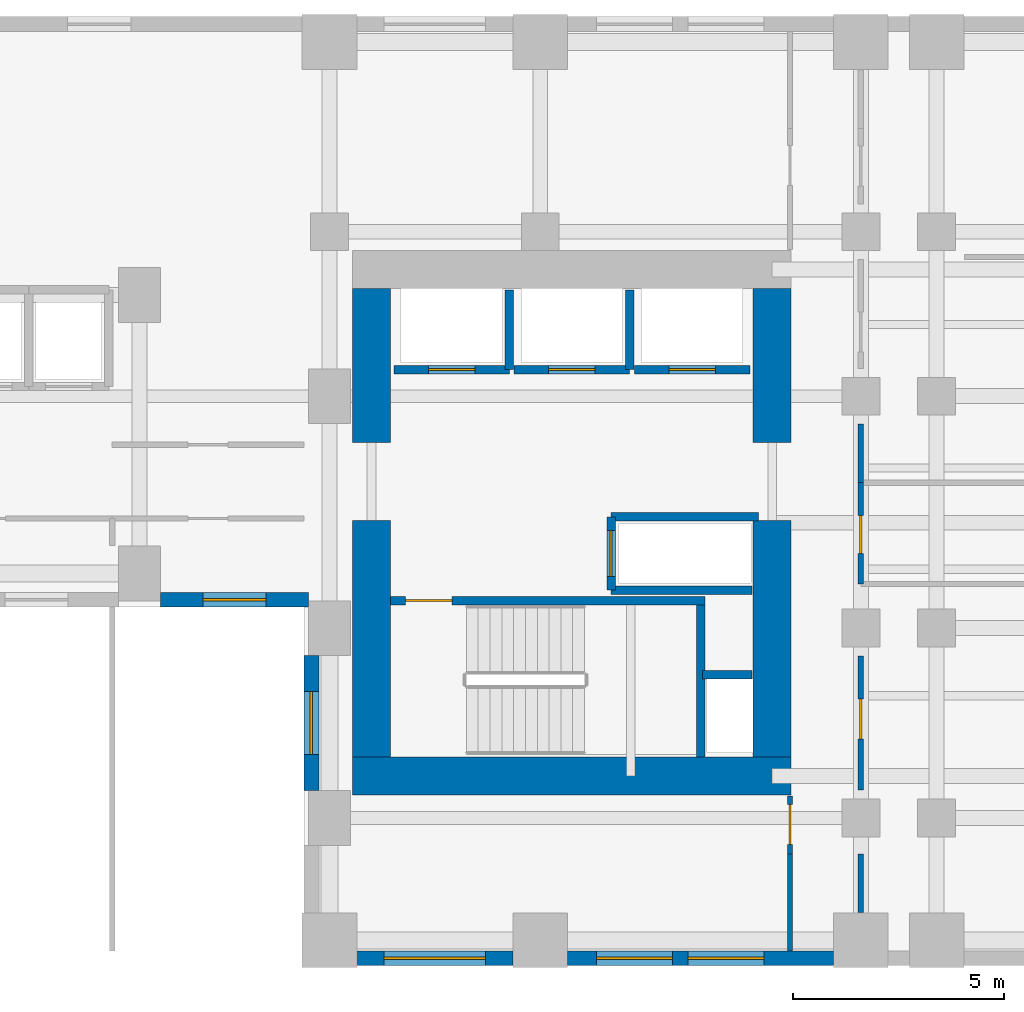
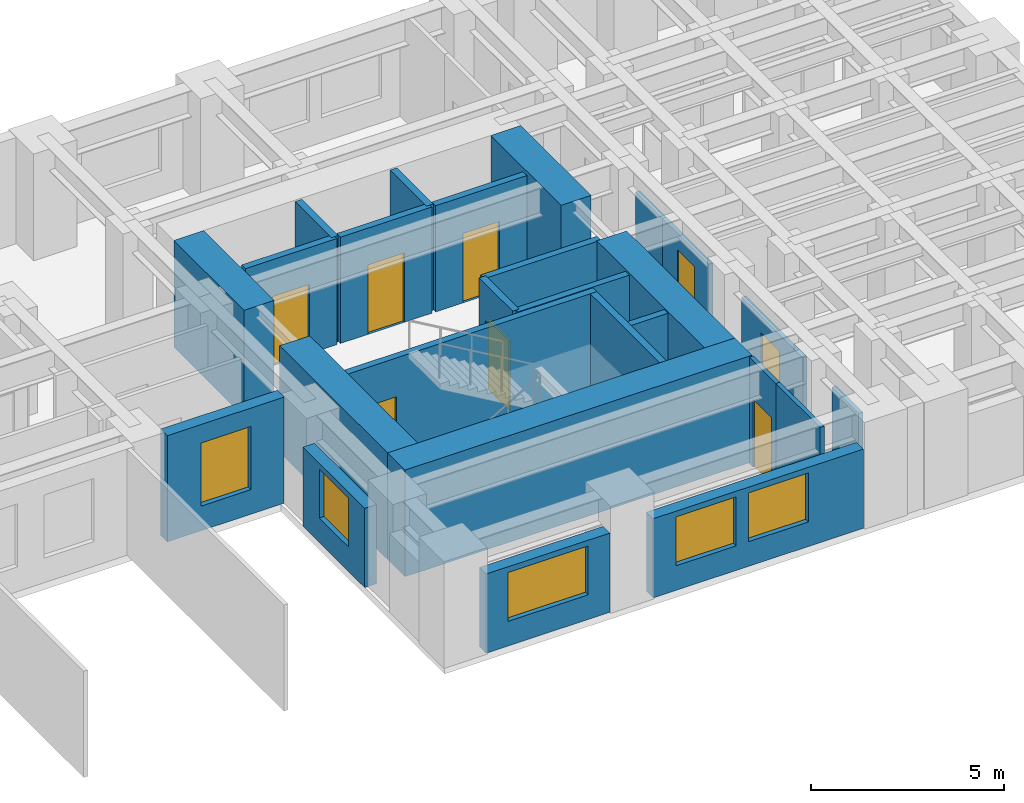
# One storey, part 8 of 12: 26 walls, 8 doors, 5 windows, 13 openings.
"""IFC4 building model written with IfcOpenShell, lengths in metres."""

from ifc_helpers import new_model, si_unit, direction, frame, frame_2d, origin, place, context, subcontext, project, spatial, rectangle, extrude, source, transform, mapped, material, layer, layer_set, type_object, element, fill, save


model = new_model("IFC4")

# Units and contexts
model_context = context("Model", 3, precision=1e-05, world=origin(), true_north=direction((0.0, 1.0)))
body_context = subcontext(model_context, "Body", "Model", "MODEL_VIEW")
ifc_project = project(units=[si_unit("LENGTHUNIT", "METRE"), si_unit("AREAUNIT", "SQUARE_METRE"), si_unit("VOLUMEUNIT", "CUBIC_METRE"), si_unit("PLANEANGLEUNIT", "RADIAN"), si_unit("MASSUNIT", "GRAM", prefix="KILO")], contexts=[model_context])

# Site, building, storey
site_placement = place(None, origin())
site = spatial("IfcSite", under=ifc_project, at=site_placement, CompositionType="ELEMENT")
building_placement = place(site_placement, origin())
building = spatial("IfcBuilding", under=site, at=building_placement, Name="Kharzan Plaza Tower", CompositionType="ELEMENT")
storey_placement = place(building_placement, frame((0.0, 0.0, 51.300048828125)))
storey = spatial("IfcBuildingStorey", under=building, at=storey_placement, Name="L13", CompositionType="ELEMENT", Elevation=51.300048828125)

# Wall, opening, window
ifc_material_1 = material(Name="Concrete C40/50", Category="concrete")
ifc_layer_1 = layer(ifc_material_1, 0.35009765625)
ifc_layer_set_1 = layer_set([ifc_layer_1], Name="Concrete C40/50")
wall_type_1 = type_object("IfcWallType", Name="WL-EXT-MAS-Z1", PredefinedType="SOLIDWALL", material=ifc_layer_set_1)
wall_1_placement = place(storey_placement, frame((30.998046875, 8.675048828125, 0.0), z_axis=(0.0, 0.0, 1.0), x_axis=(1.0, 0.0, 0.0)))
wall_1 = element("IfcWall", 1, at=wall_1_placement, inside=storey, type_object=wall_type_1, Name="L13 Masonry-Frame Exterior Wall 30", PredefinedType="SOLIDWALL", context=body_context, shape_type="SweptSolid", body=[
    extrude(rectangle(XDim=3.50390625, YDim=0.35009765625, at=frame_2d((1.751953125, 0.0))), origin(), (0.0, 0.0, 1.0), 3.364990234375),
])
opening_1_placement = place(wall_1_placement, frame((1.001953125, 0.0, 0.780029296875)))
opening_1 = element("IfcOpeningElement", 2, at=opening_1_placement, cuts=wall_1, Name="Opening W5", PredefinedType="OPENING", context=body_context, shape_type="SweptSolid", body=[
    extrude(rectangle(XDim=1.5, YDim=2.0, at=frame_2d((0.75, 1.0))), frame((0.0, 0.18505859375, 0.0), z_axis=(0.0, -1.0, 0.0), x_axis=(1.0, 0.0, 0.0)), (0.0, 0.0, 1.0), 0.3701171875),
])
ifc_material_2 = material(Name="Low-E Double Glazing", Category="glass")
window_type_1 = type_object("IfcWindowType", Name="WN-SLT-1500x2000", PartitioningType="SINGLE_PANEL", PredefinedType="WINDOW", material=ifc_material_2)
shared_shape_1 = source(origin(), body_context, "Body", "SweptSolid", [
    extrude(rectangle(XDim=1.5, YDim=2.0, at=frame_2d((0.75, 1.0))), frame((0.0, 0.030029296875, 0.0), z_axis=(0.0, -1.0, 0.0), x_axis=(1.0, 0.0, 0.0)), (0.0, 0.0, 1.0), 0.06005859375),
])
window_1_placement = place(opening_1_placement, origin())
window_1 = element("IfcWindow", 3, at=window_1_placement, inside=storey, type_object=window_type_1, Name="L13 Recessed Solar-Control Window 30-1", OverallHeight=2.0, OverallWidth=1.5, PartitioningType="SINGLE_PANEL", PredefinedType="WINDOW", context=body_context, shape_type="MappedRepresentation", body=[
    mapped(shared_shape_1, transform((0.0, 0.0, 0.0), x_axis=(1.0, 0.0, 0.0), y_axis=(0.0, 1.0, 0.0), z_axis=(0.0, 0.0, 1.0))),
])
fill(opening_1, window_1)

wall_2_placement = place(storey_placement, frame((34.574951171875, 7.35205078125, 0.0), z_axis=(0.0, 0.0, 1.0), x_axis=(0.0, -1.0, 0.0)))
wall_2 = element("IfcWall", 4, at=wall_2_placement, inside=storey, type_object=wall_type_1, Name="L13 Masonry-Frame Exterior Wall 31", PredefinedType="SOLIDWALL", context=body_context, shape_type="SweptSolid", body=[
    extrude(rectangle(XDim=3.2041015625, YDim=0.35009765625, at=frame_2d((1.60205078125, 0.0))), origin(), (0.0, 0.0, 1.0), 2.510009765625),
])
opening_2_placement = place(wall_2_placement, frame((0.85205078125, 0.0, 0.780029296875)))
opening_2 = element("IfcOpeningElement", 5, at=opening_2_placement, cuts=wall_2, Name="Opening W5", PredefinedType="OPENING", context=body_context, shape_type="SweptSolid", body=[
    extrude(rectangle(XDim=1.5, YDim=1.550048828125, at=frame_2d((0.75, 0.77490234375))), frame((0.0, 0.18505859375, 0.0), z_axis=(0.0, -1.0, 0.0), x_axis=(1.0, 0.0, 0.0)), (0.0, 0.0, 1.0), 0.3701171875),
])
shared_shape_2 = source(origin(), body_context, "Body", "SweptSolid", [
    extrude(rectangle(XDim=1.5, YDim=1.550048828125, at=frame_2d((0.75, 0.77490234375))), frame((0.0, 0.030029296875, 0.0), z_axis=(0.0, -1.0, 0.0), x_axis=(1.0, 0.0, 0.0)), (0.0, 0.0, 1.0), 0.06005859375),
])
window_2_placement = place(opening_2_placement, origin())
window_2 = element("IfcWindow", 6, at=window_2_placement, inside=storey, type_object=window_type_1, Name="L13 Recessed Solar-Control Window 31-1", OverallHeight=1.550048828125, OverallWidth=1.5, PartitioningType="SINGLE_PANEL", PredefinedType="WINDOW", context=body_context, shape_type="MappedRepresentation", body=[
    mapped(shared_shape_2, transform((0.0, 0.0, 0.0), x_axis=(1.0, 0.0, 0.0), y_axis=(0.0, 1.0, 0.0), z_axis=(0.0, 0.0, 1.0))),
])
fill(opening_2, window_2)

wall_3_placement = place(storey_placement, frame((35.64794921875, 0.175048828125, 0.0), z_axis=(0.0, 0.0, 1.0), x_axis=(1.0, 0.0, 0.0)))
wall_3 = element("IfcWall", 7, at=wall_3_placement, inside=storey, type_object=wall_type_1, Name="L13 Masonry-Frame Exterior Wall 33", PredefinedType="SOLIDWALL", context=body_context, shape_type="SweptSolid", body=[
    extrude(rectangle(XDim=3.7041015625, YDim=0.35009765625, at=frame_2d((1.85205078125, 0.0))), origin(), (0.0, 0.0, 1.0), 2.510009765625),
])
opening_3_placement = place(wall_3_placement, frame((0.652099609375, 0.0, 0.780029296875)))
opening_3 = element("IfcOpeningElement", 8, at=opening_3_placement, cuts=wall_3, Name="Opening W2", PredefinedType="OPENING", context=body_context, shape_type="SweptSolid", body=[
    extrude(rectangle(XDim=2.39990234375, YDim=1.550048828125, at=frame_2d((1.199951171875, 0.77490234375))), frame((0.0, 0.18505859375, 0.0), z_axis=(0.0, -1.0, 0.0), x_axis=(1.0, 0.0, 0.0)), (0.0, 0.0, 1.0), 0.3701171875),
])
window_type_2 = type_object("IfcWindowType", Name="WN-REC-2400x2100", PartitioningType="SINGLE_PANEL", PredefinedType="WINDOW", material=ifc_material_2)
shared_shape_3 = source(origin(), body_context, "Body", "SweptSolid", [
    extrude(rectangle(XDim=2.39990234375, YDim=1.550048828125, at=frame_2d((1.199951171875, 0.77490234375))), frame((0.0, 0.030029296875, 0.0), z_axis=(0.0, -1.0, 0.0), x_axis=(1.0, 0.0, 0.0)), (0.0, 0.0, 1.0), 0.06005859375),
])
window_3_placement = place(opening_3_placement, origin())
window_3 = element("IfcWindow", 9, at=window_3_placement, inside=storey, type_object=window_type_2, Name="L13 Wide Recessed Solar-Control Window 33-1", OverallHeight=1.550048828125, OverallWidth=2.39990234375, PartitioningType="SINGLE_PANEL", PredefinedType="WINDOW", context=body_context, shape_type="MappedRepresentation", body=[
    mapped(shared_shape_3, transform((0.0, 0.0, 0.0), x_axis=(1.0, 0.0, 0.0), y_axis=(0.0, 1.0, 0.0), z_axis=(0.0, 0.0, 1.0))),
])
fill(opening_3, window_3)

# Wall, openings, windows
wall_4_placement = place(storey_placement, frame((40.64794921875, 0.175048828125, 0.0), z_axis=(0.0, 0.0, 1.0), x_axis=(1.0, 0.0, 0.0)))
wall_4 = element("IfcWall", 10, at=wall_4_placement, inside=storey, type_object=wall_type_1, Name="L13 Masonry-Frame Exterior Wall 34", PredefinedType="SOLIDWALL", context=body_context, shape_type="SweptSolid", body=[
    extrude(rectangle(XDim=6.303955078125, YDim=0.35009765625, at=frame_2d((3.15185546875, 0.0))), origin(), (0.0, 0.0, 1.0), 2.510009765625),
])
opening_4_placement = place(wall_4_placement, frame((0.687255859375, 0.0, 0.780029296875)))
opening_4 = element("IfcOpeningElement", 11, at=opening_4_placement, cuts=wall_4, Name="Opening W1", PredefinedType="OPENING", context=body_context, shape_type="SweptSolid", body=[
    extrude(rectangle(XDim=1.800048828125, YDim=1.550048828125, at=frame_2d((0.89990234375, 0.77490234375))), frame((0.0, 0.18505859375, 0.0), z_axis=(0.0, -1.0, 0.0), x_axis=(1.0, 0.0, 0.0)), (0.0, 0.0, 1.0), 0.3701171875),
])
opening_5_placement = place(wall_4_placement, frame((2.854736328125, 0.0, 0.780029296875)))
opening_5 = element("IfcOpeningElement", 12, at=opening_5_placement, cuts=wall_4, Name="Opening W1", PredefinedType="OPENING", context=body_context, shape_type="SweptSolid", body=[
    extrude(rectangle(XDim=1.800048828125, YDim=1.550048828125, at=frame_2d((0.89990234375, 0.77490234375))), frame((0.0, 0.18505859375, 0.0), z_axis=(0.0, -1.0, 0.0), x_axis=(1.0, 0.0, 0.0)), (0.0, 0.0, 1.0), 0.3701171875),
])
window_type_3 = type_object("IfcWindowType", Name="WN-REC-1800x2100", PartitioningType="SINGLE_PANEL", PredefinedType="WINDOW", material=ifc_material_2)
shared_shape_4 = source(origin(), body_context, "Body", "SweptSolid", [
    extrude(rectangle(XDim=1.800048828125, YDim=1.550048828125, at=frame_2d((0.89990234375, 0.77490234375))), frame((0.0, 0.030029296875, 0.0), z_axis=(0.0, -1.0, 0.0), x_axis=(1.0, 0.0, 0.0)), (0.0, 0.0, 1.0), 0.06005859375),
])
window_4_placement = place(opening_4_placement, origin())
window_4 = element("IfcWindow", 13, at=window_4_placement, inside=storey, type_object=window_type_3, Name="L13 Recessed Solar-Control Window 34-1", OverallHeight=1.550048828125, OverallWidth=1.800048828125, PartitioningType="SINGLE_PANEL", PredefinedType="WINDOW", context=body_context, shape_type="MappedRepresentation", body=[
    mapped(shared_shape_4, transform((0.0, 0.0, 0.0), x_axis=(1.0, 0.0, 0.0), y_axis=(0.0, 1.0, 0.0), z_axis=(0.0, 0.0, 1.0))),
])
fill(opening_4, window_4)
window_5_placement = place(opening_5_placement, origin())
window_5 = element("IfcWindow", 14, at=window_5_placement, inside=storey, type_object=window_type_3, Name="L13 Recessed Solar-Control Window 34-2", OverallHeight=1.550048828125, OverallWidth=1.800048828125, PartitioningType="SINGLE_PANEL", PredefinedType="WINDOW", context=body_context, shape_type="MappedRepresentation", body=[
    mapped(shared_shape_4, transform((0.0, 0.0, 0.0), x_axis=(1.0, 0.0, 0.0), y_axis=(0.0, 1.0, 0.0), z_axis=(0.0, 0.0, 1.0))),
])
fill(opening_5, window_5)

# Wall, opening, door
ifc_material_3 = material(Name="Fire-Rated Gypsum Board Partition", Category="gypsum")
ifc_layer_2 = layer(ifc_material_3, 0.125)
ifc_layer_set_2 = layer_set([ifc_layer_2], Name="Fire-Rated Gypsum Board Partition")
wall_type_2 = type_object("IfcWallType", Name="WL-INT-PART-125", PredefinedType="PARTITIONING", material=ifc_layer_set_2)
wall_5_placement = place(storey_placement, frame((47.60009765625, 4.159912109375, 0.0), z_axis=(0.0, 0.0, 1.0), x_axis=(0.0, 1.0, 0.0)))
wall_5 = element("IfcWall", 15, at=wall_5_placement, inside=storey, type_object=wall_type_2, Name="L13 Interior Partition SH-B1W0", PredefinedType="PARTITIONING", context=body_context, shape_type="SweptSolid", body=[
    extrude(rectangle(XDim=3.18017578125, YDim=0.125, at=frame_2d((1.590087890625, 0.0))), origin(), (0.0, 0.0, 1.0), 2.669921875),
])
opening_6_placement = place(wall_5_placement, frame((1.215087890625, 0.0, 0.0)))
opening_6 = element("IfcOpeningElement", 16, at=opening_6_placement, cuts=wall_5, Name="Opening OD1", PredefinedType="OPENING", context=body_context, shape_type="SweptSolid", body=[
    extrude(rectangle(XDim=0.949951171875, YDim=2.14990234375, at=frame_2d((0.47509765625, 1.074951171875))), frame((0.0, 0.072509765625, 0.0), z_axis=(0.0, -1.0, 0.0), x_axis=(1.0, 0.0, 0.0)), (0.0, 0.0, 1.0), 0.14501953125),
])
ifc_material_4 = material(Name="Acoustic Solid-Core Stained Oak", Category="timber")
door_type_1 = type_object("IfcDoorType", Name="DR-OFF-SINGLE", OperationType="NOTDEFINED", PredefinedType="DOOR", material=ifc_material_4)
shared_shape_5 = source(origin(), body_context, "Body", "SweptSolid", [
    extrude(rectangle(XDim=0.949951171875, YDim=2.14990234375, at=frame_2d((0.47509765625, 1.074951171875))), frame((0.0, 0.02490234375, 0.0), z_axis=(0.0, -1.0, 0.0), x_axis=(1.0, 0.0, 0.0)), (0.0, 0.0, 1.0), 0.050048828125),
])
door_1_placement = place(opening_6_placement, origin())
door_1 = element("IfcDoor", 17, at=door_1_placement, inside=storey, type_object=door_type_1, Name="L13 Wing B South Studio Door", OperationType="SINGLE_SWING_LEFT", OverallHeight=2.14990234375, OverallWidth=0.949951171875, PredefinedType="DOOR", context=body_context, shape_type="MappedRepresentation", body=[
    mapped(shared_shape_5, transform((0.0, 0.0, 0.0), x_axis=(1.0, 0.0, 0.0), y_axis=(0.0, 1.0, 0.0), z_axis=(0.0, 0.0, 1.0))),
])
fill(opening_6, door_1)

wall_6_placement = place(storey_placement, frame((47.60009765625, 9.050048828125, 0.0), z_axis=(0.0, 0.0, 1.0), x_axis=(0.0, 1.0, 0.0)))
wall_6 = element("IfcWall", 18, at=wall_6_placement, inside=storey, type_object=wall_type_2, Name="L13 Interior Partition SH-B1WC", PredefinedType="PARTITIONING", context=body_context, shape_type="SweptSolid", body=[
    extrude(rectangle(XDim=2.39990234375, YDim=0.125, at=frame_2d((1.199951171875, 0.0))), origin(), (0.0, 0.0, 1.0), 2.669921875),
])
opening_7_placement = place(wall_6_placement, frame((0.72509765625, 0.0, 0.0)))
opening_7 = element("IfcOpeningElement", 19, at=opening_7_placement, cuts=wall_6, Name="Opening WD1", PredefinedType="OPENING", context=body_context, shape_type="SweptSolid", body=[
    extrude(rectangle(XDim=0.89990234375, YDim=2.14990234375, at=frame_2d((0.449951171875, 1.074951171875))), frame((0.0, 0.072509765625, 0.0), z_axis=(0.0, -1.0, 0.0), x_axis=(1.0, 0.0, 0.0)), (0.0, 0.0, 1.0), 0.14501953125),
])
ifc_material_5 = material(Name="Moisture-Resistant Fire-Rated Laminate", Category="timber")
door_type_2 = type_object("IfcDoorType", Name="DR-WC-900", OperationType="NOTDEFINED", PredefinedType="DOOR", material=ifc_material_5)
shared_shape_6 = source(origin(), body_context, "Body", "SweptSolid", [
    extrude(rectangle(XDim=0.89990234375, YDim=2.14990234375, at=frame_2d((0.449951171875, 1.074951171875))), frame((0.0, 0.02490234375, 0.0), z_axis=(0.0, -1.0, 0.0), x_axis=(1.0, 0.0, 0.0)), (0.0, 0.0, 1.0), 0.050048828125),
])
door_2_placement = place(opening_7_placement, origin())
door_2 = element("IfcDoor", 20, at=door_2_placement, inside=storey, type_object=door_type_2, Name="L13 Wing B Washroom Door", OperationType="SINGLE_SWING_RIGHT", OverallHeight=2.14990234375, OverallWidth=0.89990234375, PredefinedType="DOOR", context=body_context, shape_type="MappedRepresentation", body=[
    mapped(shared_shape_6, transform((0.0, 0.0, 0.0), x_axis=(1.0, 0.0, 0.0), y_axis=(0.0, 1.0, 0.0), z_axis=(0.0, 0.0, 1.0))),
])
fill(opening_7, door_2)

wall_7_placement = place(storey_placement, frame((45.919921875, 2.64990234375, 0.0), z_axis=(0.0, 0.0, 1.0), x_axis=(0.0, 1.0, 0.0)))
wall_7 = element("IfcWall", 21, at=wall_7_placement, inside=storey, type_object=wall_type_2, Name="L13 Interior Partition SH-RBSE", PredefinedType="PARTITIONING", context=body_context, shape_type="SweptSolid", body=[
    extrude(rectangle(XDim=1.3701171875, YDim=0.125, at=frame_2d((0.68505859375, 0.0))), origin(), (0.0, 0.0, 1.0), 3.364990234375),
])
opening_8_placement = place(wall_7_placement, frame((0.22509765625, 0.0, 0.0)))
opening_8 = element("IfcOpeningElement", 22, at=opening_8_placement, cuts=wall_7, Name="Opening OD1", PredefinedType="OPENING", context=body_context, shape_type="SweptSolid", body=[
    extrude(rectangle(XDim=0.949951171875, YDim=2.14990234375, at=frame_2d((0.47509765625, 1.074951171875))), frame((0.0, 0.072509765625, 0.0), z_axis=(0.0, -1.0, 0.0), x_axis=(1.0, 0.0, 0.0)), (0.0, 0.0, 1.0), 0.14501953125),
])
door_3_placement = place(opening_8_placement, origin())
door_3 = element("IfcDoor", 23, at=door_3_placement, inside=storey, type_object=door_type_1, Name="L13 South-East Corner Office Door", OperationType="SINGLE_SWING_LEFT", OverallHeight=2.14990234375, OverallWidth=0.949951171875, PredefinedType="DOOR", context=body_context, shape_type="MappedRepresentation", body=[
    mapped(shared_shape_5, transform((0.0, 0.0, 0.0), x_axis=(1.0, 0.0, 0.0), y_axis=(0.0, 1.0, 0.0), z_axis=(0.0, 0.0, 1.0))),
])
fill(opening_8, door_3)

ifc_layer_3 = layer(ifc_material_1, 0.199951171875)
ifc_layer_set_3 = layer_set([ifc_layer_3], Name="Concrete C40/50")
wall_type_3 = type_object("IfcWallType", Name="WL-INT-SHAFT-200", PredefinedType="PARTITIONING", material=ifc_layer_set_3)
wall_8_placement = place(storey_placement, frame((36.530029296875, 14.1298828125, 0.0), z_axis=(0.0, 0.0, 1.0), x_axis=(1.0, 0.0, 0.0)))
wall_8 = element("IfcWall", 24, at=wall_8_placement, inside=storey, type_object=wall_type_3, Name="L13 Interior Partition SHF-PL-L1-S", PredefinedType="PARTITIONING", context=body_context, shape_type="SweptSolid", body=[
    extrude(rectangle(XDim=2.739990234375, YDim=0.199951171875, at=frame_2d((1.3701171875, 0.0))), origin(), (0.0, 0.0, 1.0), 3.364990234375),
])
opening_9_placement = place(wall_8_placement, frame((0.820068359375, 0.0, 0.0)))
opening_9 = element("IfcOpeningElement", 25, at=opening_9_placement, cuts=wall_8, Name="Opening LD", PredefinedType="OPENING", context=body_context, shape_type="SweptSolid", body=[
    extrude(rectangle(XDim=1.10009765625, YDim=2.199951171875, at=frame_2d((0.550048828125, 1.10009765625))), frame((0.0, 0.10986328125, 0.0), z_axis=(0.0, -1.0, 0.0), x_axis=(1.0, 0.0, 0.0)), (0.0, 0.0, 1.0), 0.219970703125),
])
ifc_material_6 = material(Name="Brushed Stainless Steel", Category="steel")
door_type_3 = type_object("IfcDoorType", Name="DR-LIFT-SLIDE", OperationType="SLIDING_TO_LEFT", PredefinedType="DOOR", material=ifc_material_6)
shared_shape_7 = source(origin(), body_context, "Body", "SweptSolid", [
    extrude(rectangle(XDim=1.10009765625, YDim=2.199951171875, at=frame_2d((0.550048828125, 1.10009765625))), frame((0.0, 0.02490234375, 0.0), z_axis=(0.0, -1.0, 0.0), x_axis=(1.0, 0.0, 0.0)), (0.0, 0.0, 1.0), 0.050048828125),
])
door_4_placement = place(opening_9_placement, origin())
door_4 = element("IfcDoor", 26, at=door_4_placement, inside=storey, type_object=door_type_3, Name="L13 Low-Rise Passenger Lift PL-L1 Sliding Landing Door", OperationType="SLIDING_TO_LEFT", OverallHeight=2.199951171875, OverallWidth=1.10009765625, PredefinedType="DOOR", context=body_context, shape_type="MappedRepresentation", body=[
    mapped(shared_shape_7, transform((0.0, 0.0, 0.0), x_axis=(1.0, 0.0, 0.0), y_axis=(0.0, 1.0, 0.0), z_axis=(0.0, 0.0, 1.0))),
])
fill(opening_9, door_4)

wall_9_placement = place(storey_placement, frame((39.3798828125, 14.1298828125, 0.0), z_axis=(0.0, 0.0, 1.0), x_axis=(1.0, 0.0, 0.0)))
wall_9 = element("IfcWall", 27, at=wall_9_placement, inside=storey, type_object=wall_type_3, Name="L13 Interior Partition SHF-PL-L2-S", PredefinedType="PARTITIONING", context=body_context, shape_type="SweptSolid", body=[
    extrude(rectangle(XDim=2.740234375, YDim=0.199951171875, at=frame_2d((1.3701171875, 0.0))), origin(), (0.0, 0.0, 1.0), 3.364990234375),
])
opening_10_placement = place(wall_9_placement, frame((0.820068359375, 0.0, 0.0)))
opening_10 = element("IfcOpeningElement", 28, at=opening_10_placement, cuts=wall_9, Name="Opening LD", PredefinedType="OPENING", context=body_context, shape_type="SweptSolid", body=[
    extrude(rectangle(XDim=1.10009765625, YDim=2.199951171875, at=frame_2d((0.550048828125, 1.10009765625))), frame((0.0, 0.10986328125, 0.0), z_axis=(0.0, -1.0, 0.0), x_axis=(1.0, 0.0, 0.0)), (0.0, 0.0, 1.0), 0.219970703125),
])
door_5_placement = place(opening_10_placement, origin())
door_5 = element("IfcDoor", 29, at=door_5_placement, inside=storey, type_object=door_type_3, Name="L13 Low-Rise Passenger Lift PL-L2 Sliding Landing Door", OperationType="SLIDING_TO_LEFT", OverallHeight=2.199951171875, OverallWidth=1.10009765625, PredefinedType="DOOR", context=body_context, shape_type="MappedRepresentation", body=[
    mapped(shared_shape_7, transform((0.0, 0.0, 0.0), x_axis=(1.0, 0.0, 0.0), y_axis=(0.0, 1.0, 0.0), z_axis=(0.0, 0.0, 1.0))),
])
fill(opening_10, door_5)

wall_10_placement = place(storey_placement, frame((42.22998046875, 14.1298828125, 0.0), z_axis=(0.0, 0.0, 1.0), x_axis=(1.0, 0.0, 0.0)))
wall_10 = element("IfcWall", 30, at=wall_10_placement, inside=storey, type_object=wall_type_3, Name="L13 Interior Partition SHF-PL-L3-S", PredefinedType="PARTITIONING", context=body_context, shape_type="SweptSolid", body=[
    extrude(rectangle(XDim=2.739990234375, YDim=0.199951171875, at=frame_2d((1.3701171875, 0.0))), origin(), (0.0, 0.0, 1.0), 3.364990234375),
])
opening_11_placement = place(wall_10_placement, frame((0.820068359375, 0.0, 0.0)))
opening_11 = element("IfcOpeningElement", 31, at=opening_11_placement, cuts=wall_10, Name="Opening LD", PredefinedType="OPENING", context=body_context, shape_type="SweptSolid", body=[
    extrude(rectangle(XDim=1.10009765625, YDim=2.199951171875, at=frame_2d((0.550048828125, 1.10009765625))), frame((0.0, 0.10986328125, 0.0), z_axis=(0.0, -1.0, 0.0), x_axis=(1.0, 0.0, 0.0)), (0.0, 0.0, 1.0), 0.219970703125),
])
door_6_placement = place(opening_11_placement, origin())
door_6 = element("IfcDoor", 32, at=door_6_placement, inside=storey, type_object=door_type_3, Name="L13 Low-Rise Passenger Lift PL-L3 Sliding Landing Door", OperationType="SLIDING_TO_LEFT", OverallHeight=2.199951171875, OverallWidth=1.10009765625, PredefinedType="DOOR", context=body_context, shape_type="MappedRepresentation", body=[
    mapped(shared_shape_7, transform((0.0, 0.0, 0.0), x_axis=(1.0, 0.0, 0.0), y_axis=(0.0, 1.0, 0.0), z_axis=(0.0, 0.0, 1.0))),
])
fill(opening_11, door_6)

wall_11_placement = place(storey_placement, frame((41.679931640625, 8.89990234375, 0.0), z_axis=(0.0, 0.0, 1.0), x_axis=(0.0, 1.0, 0.0)))
wall_11 = element("IfcWall", 33, at=wall_11_placement, inside=storey, type_object=wall_type_3, Name="L13 Interior Partition SHF-SVL-2-W", PredefinedType="PARTITIONING", context=body_context, shape_type="SweptSolid", body=[
    extrude(rectangle(XDim=1.739990234375, YDim=0.199951171875, at=frame_2d((0.8701171875, 0.0))), origin(), (0.0, 0.0, 1.0), 3.364990234375),
])
opening_12_placement = place(wall_11_placement, frame((0.320068359375, 0.0, 0.0)))
opening_12 = element("IfcOpeningElement", 34, at=opening_12_placement, cuts=wall_11, Name="Opening LD", PredefinedType="OPENING", context=body_context, shape_type="SweptSolid", body=[
    extrude(rectangle(XDim=1.10009765625, YDim=2.199951171875, at=frame_2d((0.550048828125, 1.10009765625))), frame((0.0, 0.10986328125, 0.0), z_axis=(0.0, -1.0, 0.0), x_axis=(1.0, 0.0, 0.0)), (0.0, 0.0, 1.0), 0.219970703125),
])
door_7_placement = place(opening_12_placement, origin())
door_7 = element("IfcDoor", 35, at=door_7_placement, inside=storey, type_object=door_type_3, Name="L13 Service Lift SVL-2 Sliding Landing Door", OperationType="SLIDING_TO_LEFT", OverallHeight=2.199951171875, OverallWidth=1.10009765625, PredefinedType="DOOR", context=body_context, shape_type="MappedRepresentation", body=[
    mapped(shared_shape_7, transform((0.0, 0.0, 0.0), x_axis=(1.0, 0.0, 0.0), y_axis=(0.0, 1.0, 0.0), z_axis=(0.0, 0.0, 1.0))),
])
fill(opening_12, door_7)

ifc_material_7 = material(Name="Concrete C50/60", Category="concrete")
ifc_layer_4 = layer(ifc_material_7, 0.199951171875)
ifc_layer_set_4 = layer_set([ifc_layer_4], Name="Concrete C50/60")
wall_type_4 = type_object("IfcWallType", Name="WL-SHAFT-RC200", PredefinedType="SHEAR", material=ifc_layer_set_4)
wall_12_placement = place(storey_placement, frame((36.451904296875, 8.655029296875, 0.0), z_axis=(0.0, 0.0, 1.0), x_axis=(1.0, 0.0, 0.0)))
wall_12 = element("IfcWall", 36, at=wall_12_placement, inside=storey, type_object=wall_type_4, Name="L13 Stair ST-3 North RC Shaft Wall", PredefinedType="SHEAR", context=body_context, shape_type="SweptSolid", body=[
    extrude(rectangle(XDim=7.453125, YDim=0.199951171875, at=frame_2d((3.7265625, 0.0))), origin(), (0.0, 0.0, 1.0), 3.3798828125),
])
opening_13_placement = place(wall_12_placement, frame((0.35009765625, 0.0, 0.0)))
opening_13 = element("IfcOpeningElement", 37, at=opening_13_placement, cuts=wall_12, Name="Opening SD1", PredefinedType="OPENING", context=body_context, shape_type="SweptSolid", body=[
    extrude(rectangle(XDim=1.10009765625, YDim=2.14990234375, at=frame_2d((0.550048828125, 1.074951171875))), frame((0.0, 0.10986328125, 0.0), z_axis=(0.0, -1.0, 0.0), x_axis=(1.0, 0.0, 0.0)), (0.0, 0.0, 1.0), 0.219970703125),
])
ifc_material_8 = material(Name="Fire-Rated Hollow Galvanized Steel", Category="steel")
door_type_4 = type_object("IfcDoorType", Name="DR-STAIR-FD120", OperationType="NOTDEFINED", PredefinedType="DOOR", material=ifc_material_8)
shared_shape_8 = source(origin(), body_context, "Body", "SweptSolid", [
    extrude(rectangle(XDim=1.10009765625, YDim=2.14990234375, at=frame_2d((0.550048828125, 1.074951171875))), frame((0.0, 0.02490234375, 0.0), z_axis=(0.0, -1.0, 0.0), x_axis=(1.0, 0.0, 0.0)), (0.0, 0.0, 1.0), 0.050048828125),
])
door_8_placement = place(opening_13_placement, origin())
door_8 = element("IfcDoor", 38, at=door_8_placement, inside=storey, type_object=door_type_4, Name="L13 Stair ST-3 Fire Exit Door", OperationType="SINGLE_SWING_LEFT", OverallHeight=2.14990234375, OverallWidth=1.10009765625, PredefinedType="DOOR", context=body_context, shape_type="MappedRepresentation", body=[
    mapped(shared_shape_8, transform((0.0, 0.0, 0.0), x_axis=(1.0, 0.0, 0.0), y_axis=(0.0, 1.0, 0.0), z_axis=(0.0, 0.0, 1.0))),
])
fill(opening_13, door_8)

# Walls
ifc_material_9 = material(Name="Concrete C60/75", Category="concrete")
ifc_layer_5 = layer(ifc_material_9, 0.89990234375)
ifc_layer_set_5 = layer_set([ifc_layer_5], Name="Concrete C60/75")
wall_type_5 = type_object("IfcWallType", Name="WL-CORE-900", PredefinedType="SHEAR", material=ifc_layer_set_5)
shared_shape_9 = source(origin(), body_context, "Body", "SweptSolid", [
    extrude(rectangle(XDim=5.60009765625, YDim=0.89990234375, at=frame_2d((2.800048828125, 0.0))), origin(), (0.0, 0.0, 1.0), 3.3798828125),
])
for number, where, z_axis, x_axis, name in (
    (39, (45.5, 4.949951171875, 0.0), (0.0, 0.0, 1.0), (0.0, 1.0, 0.0), "L13 CORE-B east shear pier 1"),
    (40, (36.0, 4.949951171875, 0.0), (0.0, 0.0, 1.0), (0.0, 1.0, 0.0), "L13 CORE-B west shear pier 1"),
):
    element("IfcWall", number, at=place(storey_placement, frame(where, z_axis=z_axis, x_axis=x_axis)), inside=storey, type_object=wall_type_5, Name=name, PredefinedType="SHEAR", context=body_context, shape_type="MappedRepresentation", body=[
        mapped(shared_shape_9, transform((0.0, 0.0, 0.0), x_axis=(1.0, 0.0, 0.0), y_axis=(0.0, 1.0, 0.0), z_axis=(0.0, 0.0, 1.0))),
    ])
shared_shape_10 = source(origin(), body_context, "Body", "SweptSolid", [
    extrude(rectangle(XDim=3.650146484375, YDim=0.89990234375, at=frame_2d((1.8251953125, 0.0))), origin(), (0.0, 0.0, 1.0), 3.3798828125),
])
for number, where, z_axis, x_axis, name in (
    (41, (45.5, 12.39990234375, 0.0), (0.0, 0.0, 1.0), (0.0, 1.0, 0.0), "L13 CORE-B east shear pier 2"),
    (42, (36.0, 12.39990234375, 0.0), (0.0, 0.0, 1.0), (0.0, 1.0, 0.0), "L13 CORE-B west shear pier 2"),
):
    element("IfcWall", number, at=place(storey_placement, frame(where, z_axis=z_axis, x_axis=x_axis)), inside=storey, type_object=wall_type_5, Name=name, PredefinedType="SHEAR", context=body_context, shape_type="MappedRepresentation", body=[
        mapped(shared_shape_10, transform((0.0, 0.0, 0.0), x_axis=(1.0, 0.0, 0.0), y_axis=(0.0, 1.0, 0.0), z_axis=(0.0, 0.0, 1.0))),
    ])
shared_shape_11 = source(origin(), body_context, "Body", "SweptSolid", [
    extrude(rectangle(XDim=10.39990234375, YDim=0.89990234375, at=frame_2d((5.199951171875, 0.0))), origin(), (0.0, 0.0, 1.0), 3.3798828125),
])
wall_13_placement = place(storey_placement, frame((35.550048828125, 4.5, 0.0), z_axis=(0.0, 0.0, 1.0), x_axis=(1.0, 0.0, 0.0)))
element("IfcWall", 43, at=wall_13_placement, inside=storey, type_object=wall_type_5, Name="L13 CORE-B south RC shear wall", PredefinedType="SHEAR", context=body_context, shape_type="MappedRepresentation", body=[
    mapped(shared_shape_11, transform((0.0, 0.0, 0.0), x_axis=(1.0, 0.0, 0.0), y_axis=(0.0, 1.0, 0.0), z_axis=(0.0, 0.0, 1.0))),
])
shared_shape_12 = source(origin(), body_context, "Body", "SweptSolid", [
    extrude(rectangle(XDim=1.389892578125, YDim=0.125, at=frame_2d((0.69482421875, 0.0))), origin(), (0.0, 0.0, 1.0), 2.669921875),
])
wall_14_placement = place(storey_placement, frame((47.60009765625, 1.260009765625, 0.0), z_axis=(0.0, 0.0, 1.0), x_axis=(0.0, 1.0, 0.0)))
element("IfcWall", 44, at=wall_14_placement, inside=storey, type_object=wall_type_2, Name="L13 Interior Partition SH-B1W0S", PredefinedType="PARTITIONING", context=body_context, shape_type="MappedRepresentation", body=[
    mapped(shared_shape_12, transform((0.0, 0.0, 0.0), x_axis=(1.0, 0.0, 0.0), y_axis=(0.0, 1.0, 0.0), z_axis=(0.0, 0.0, 1.0))),
])
shared_shape_13 = source(origin(), body_context, "Body", "SweptSolid", [
    extrude(rectangle(XDim=2.2978515625, YDim=0.125, at=frame_2d((1.14892578125, 0.0))), origin(), (0.0, 0.0, 1.0), 3.364990234375),
])
wall_15_placement = place(storey_placement, frame((45.919921875, 0.35205078125, 0.0), z_axis=(0.0, 0.0, 1.0), x_axis=(0.0, 1.0, 0.0)))
element("IfcWall", 45, at=wall_15_placement, inside=storey, type_object=wall_type_2, Name="L13 Interior Partition SH-RBSE0", PredefinedType="PARTITIONING", context=body_context, shape_type="MappedRepresentation", body=[
    mapped(shared_shape_13, transform((0.0, 0.0, 0.0), x_axis=(1.0, 0.0, 0.0), y_axis=(0.0, 1.0, 0.0), z_axis=(0.0, 0.0, 1.0))),
])
shared_shape_14 = source(origin(), body_context, "Body", "SweptSolid", [
    extrude(rectangle(XDim=1.169921875, YDim=0.199951171875, at=frame_2d((0.5849609375, 0.0))), origin(), (0.0, 0.0, 1.0), 3.364990234375),
])
wall_16_placement = place(storey_placement, frame((43.85009765625, 6.89990234375, 0.0), z_axis=(0.0, 0.0, 1.0), x_axis=(1.0, 0.0, 0.0)))
element("IfcWall", 46, at=wall_16_placement, inside=storey, type_object=wall_type_3, Name="L13 Interior Partition CB-RSRB-N", PredefinedType="PARTITIONING", context=body_context, shape_type="MappedRepresentation", body=[
    mapped(shared_shape_14, transform((0.0, 0.0, 0.0), x_axis=(1.0, 0.0, 0.0), y_axis=(0.0, 1.0, 0.0), z_axis=(0.0, 0.0, 1.0))),
])
shared_shape_15 = source(origin(), body_context, "Body", "SweptSolid", [
    extrude(rectangle(XDim=1.89013671875, YDim=0.199951171875, at=frame_2d((0.945068359375, 0.0))), origin(), (0.0, 0.0, 1.0), 3.364990234375),
])
for number, where, z_axis, x_axis, name in (
    (47, (39.27001953125, 14.1298828125, 0.0), (0.0, 0.0, 1.0), (0.0, 1.0, 0.0), "L13 Interior Partition SHF-PL-L1-E"),
    (48, (42.1201171875, 14.1298828125, 0.0), (0.0, 0.0, 1.0), (0.0, 1.0, 0.0), "L13 Interior Partition SHF-PL-L2-E"),
):
    element("IfcWall", number, at=place(storey_placement, frame(where, z_axis=z_axis, x_axis=x_axis)), inside=storey, type_object=wall_type_3, Name=name, PredefinedType="PARTITIONING", context=body_context, shape_type="MappedRepresentation", body=[
        mapped(shared_shape_15, transform((0.0, 0.0, 0.0), x_axis=(1.0, 0.0, 0.0), y_axis=(0.0, 1.0, 0.0), z_axis=(0.0, 0.0, 1.0))),
    ])
shared_shape_16 = source(origin(), body_context, "Body", "SweptSolid", [
    extrude(rectangle(XDim=3.489990234375, YDim=0.199951171875, at=frame_2d((1.7451171875, 0.0))), origin(), (0.0, 0.0, 1.0), 3.364990234375),
])
wall_17_placement = place(storey_placement, frame((41.679931640625, 10.639892578125, 0.0), z_axis=(0.0, 0.0, 1.0), x_axis=(1.0, 0.0, 0.0)))
element("IfcWall", 49, at=wall_17_placement, inside=storey, type_object=wall_type_3, Name="L13 Interior Partition SHF-SVL-2-N", PredefinedType="PARTITIONING", context=body_context, shape_type="MappedRepresentation", body=[
    mapped(shared_shape_16, transform((0.0, 0.0, 0.0), x_axis=(1.0, 0.0, 0.0), y_axis=(0.0, 1.0, 0.0), z_axis=(0.0, 0.0, 1.0))),
])
shared_shape_17 = source(origin(), body_context, "Body", "SweptSolid", [
    extrude(rectangle(XDim=3.340087890625, YDim=0.199951171875, at=frame_2d((1.669921875, 0.0))), origin(), (0.0, 0.0, 1.0), 3.364990234375),
])
wall_18_placement = place(storey_placement, frame((41.679931640625, 8.89990234375, 0.0), z_axis=(0.0, 0.0, 1.0), x_axis=(1.0, 0.0, 0.0)))
element("IfcWall", 50, at=wall_18_placement, inside=storey, type_object=wall_type_3, Name="L13 Interior Partition SHF-SVL-2-S", PredefinedType="PARTITIONING", context=body_context, shape_type="MappedRepresentation", body=[
    mapped(shared_shape_17, transform((0.0, 0.0, 0.0), x_axis=(1.0, 0.0, 0.0), y_axis=(0.0, 1.0, 0.0), z_axis=(0.0, 0.0, 1.0))),
])
shared_shape_18 = source(origin(), body_context, "Body", "SweptSolid", [
    extrude(rectangle(XDim=3.60302734375, YDim=0.199951171875, at=frame_2d((1.801513671875, 0.0))), origin(), (0.0, 0.0, 1.0), 3.3798828125),
])
wall_19_placement = place(storey_placement, frame((43.804931640625, 4.951904296875, 0.0), z_axis=(0.0, 0.0, 1.0), x_axis=(0.0, 1.0, 0.0)))
element("IfcWall", 51, at=wall_19_placement, inside=storey, type_object=wall_type_4, Name="L13 Stair ST-3 East RC Shaft Wall", PredefinedType="SHEAR", context=body_context, shape_type="MappedRepresentation", body=[
    mapped(shared_shape_18, transform((0.0, 0.0, 0.0), x_axis=(1.0, 0.0, 0.0), y_axis=(0.0, 1.0, 0.0), z_axis=(0.0, 0.0, 1.0))),
])
shared_shape_19 = source(origin(), body_context, "Body", "SweptSolid", [
    extrude(rectangle(XDim=1.39013671875, YDim=0.125, at=frame_2d((0.695068359375, 0.0))), origin(), (0.0, 0.0, 1.0), 2.669921875),
])
wall_20_placement = place(storey_placement, frame((47.60009765625, 11.449951171875, 0.0), z_axis=(0.0, 0.0, 1.0), x_axis=(0.0, 1.0, 0.0)))
element("IfcWall", 52, at=wall_20_placement, inside=storey, type_object=wall_type_2, Name="L13 Interior Partition SH-B1W1-S1", PredefinedType="PARTITIONING", context=body_context, shape_type="MappedRepresentation", body=[
    mapped(shared_shape_19, transform((0.0, 0.0, 0.0), x_axis=(1.0, 0.0, 0.0), y_axis=(0.0, 1.0, 0.0), z_axis=(0.0, 0.0, 1.0))),
])

save(model, "model.ifc")
